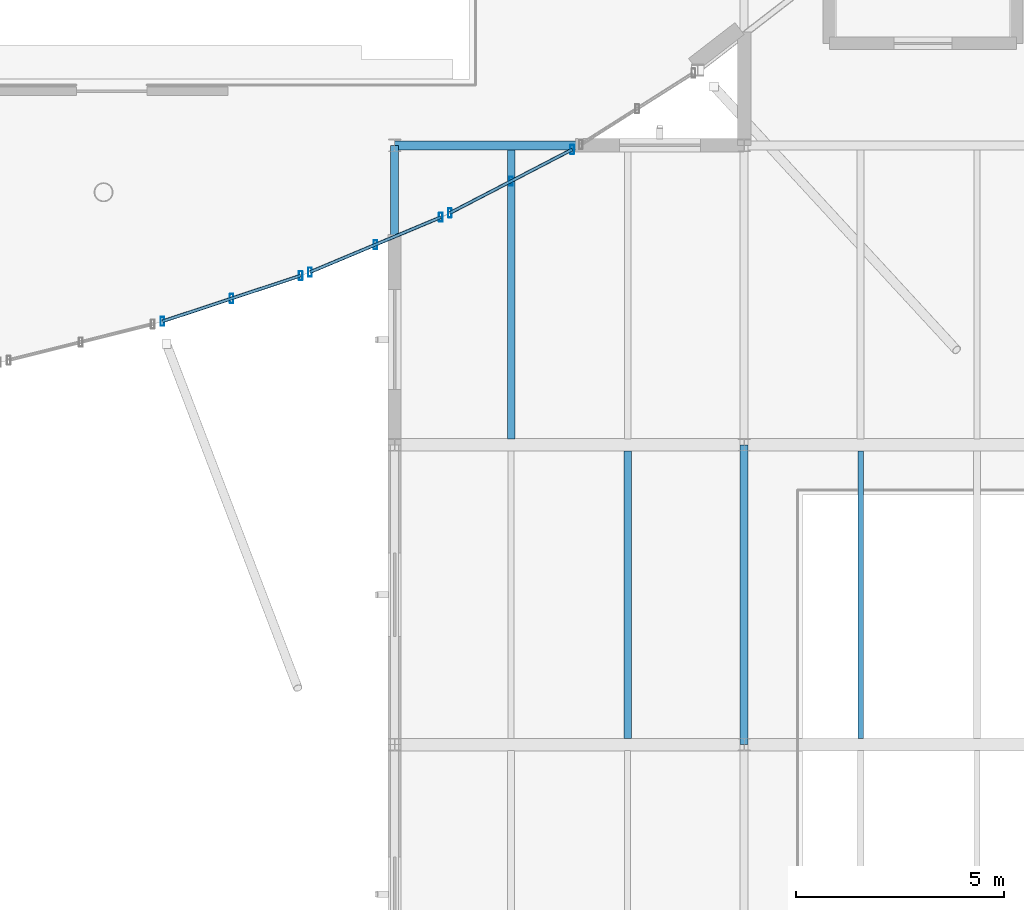
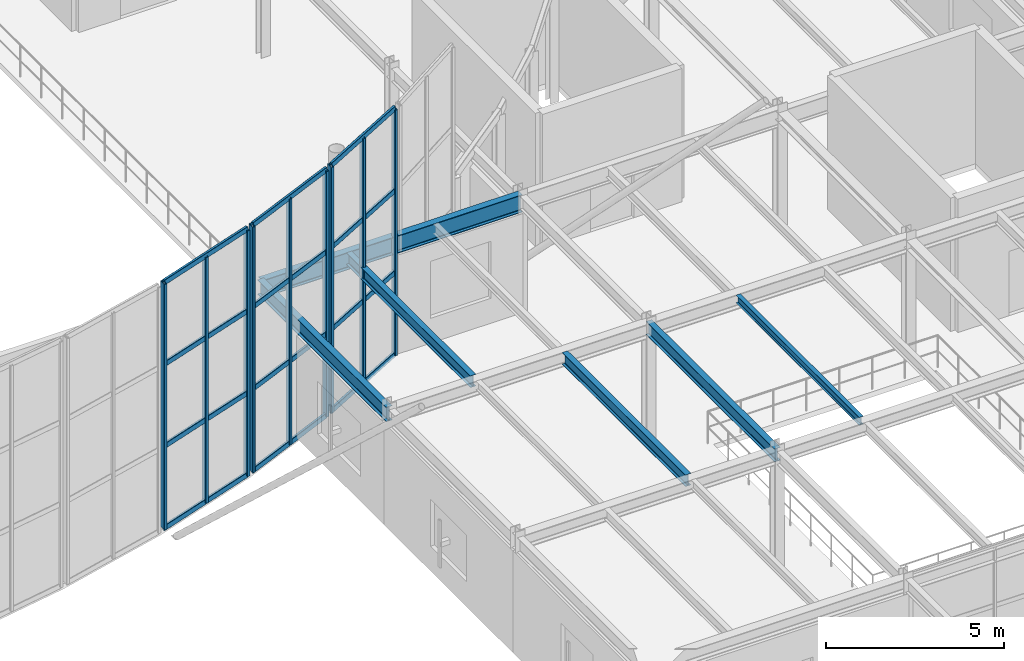
# One storey, part 28 of 109: 21 members, 6 beams, 3 elements without a shape of their own.
"""IFC4 building model written with IfcOpenShell, lengths in metres."""

from ifc_helpers import new_model, si_unit, derived_unit, direction, frame, origin, origin_2d, place, context, subcontext, project, spatial, hollow_rectangle, i_section, extrude, material, material_profile, profile_set, type_object, element, aggregate, save


model = new_model("IFC4")

# Units and contexts
model_context = context("Model", 3, precision=1e-05, world=origin(), true_north=direction((0.0, 1.0)))
body_context = subcontext(model_context, "Body", "Model", "MODEL_VIEW")
ifc_project = project(units=[si_unit("LENGTHUNIT", "METRE"), si_unit("AREAUNIT", "SQUARE_METRE"), si_unit("VOLUMEUNIT", "CUBIC_METRE"), si_unit("PLANEANGLEUNIT", "RADIAN"), si_unit("MASSUNIT", "GRAM", prefix="KILO"), derived_unit("THERMALTRANSMITTANCEUNIT", [(si_unit("MASSUNIT", "GRAM", prefix="KILO"), 1), (si_unit("TIMEUNIT", "SECOND"), -3), (si_unit("THERMODYNAMICTEMPERATUREUNIT", "KELVIN"), -1)])], contexts=[model_context])

# Site, building, storey
site_placement = place(None, origin())
site = spatial("IfcSite", under=ifc_project, at=site_placement, CompositionType="ELEMENT")
building_placement = place(site_placement, origin())
building = spatial("IfcBuilding", under=site, at=building_placement, Name="Kharveza Railside Sports Centre", CompositionType="ELEMENT")
storey_placement = place(building_placement, frame((0.0, 0.0, 4.5)))
storey = spatial("IfcBuildingStorey", under=building, at=storey_placement, Name="L01", CompositionType="ELEMENT", Elevation=4.5)

# Beams
ifc_material_1 = material(Name="Steel S355J2", Category="steel")
ifc_material_profile_1 = material_profile(ifc_material_1, i_section(OverallWidth=0.219970703125, OverallDepth=0.60009765625, WebThickness=0.011962890625, FlangeThickness=0.01904296875, FilletRadius=0.02392578125, at=origin_2d()), Name="IPE 600")
ifc_profile_set_1 = profile_set([ifc_material_profile_1], Name="Steel S355J2")
beam_type_1 = type_object("IfcBeamType", Name="BM-G01", PredefinedType="T_BEAM", material=ifc_profile_set_1)
beam_1_placement = place(storey_placement, frame((75.60009765625, 28.800048828125, 3.699951171875), z_axis=(1.0, 0.0, 0.0), x_axis=(0.0, 1.0, 0.0)))
element("IfcBeam", 1, at=beam_1_placement, inside=storey, type_object=beam_type_1, Name="BM-EW-L01-B01-X756-Y288", PredefinedType="T_BEAM", context=body_context, shape_type="SweptSolid", body=[
    extrude(i_section(OverallWidth=0.219970703125, OverallDepth=0.60009765625, WebThickness=0.011962890625, FlangeThickness=0.01904296875, FilletRadius=0.02392578125, at=origin_2d()), origin(), (0.0, 0.0, 1.0), 8.39990234375),
])
ifc_material_profile_2 = material_profile(ifc_material_1, i_section(OverallWidth=0.199951171875, OverallDepth=0.5, WebThickness=0.01025390625, FlangeThickness=0.01611328125, FilletRadius=0.02099609375, at=origin_2d()), Name="IPE 500")
ifc_profile_set_2 = profile_set([ifc_material_profile_2], Name="Steel S355J2")
beam_type_2 = type_object("IfcBeamType", Name="BM-G03", PredefinedType="T_BEAM", material=ifc_profile_set_2)
beam_2_placement = place(storey_placement, frame((75.60009765625, 21.60009765625, 3.75), z_axis=(0.0, 1.0, 0.0), x_axis=(-1.0, 0.0, 0.0)))
element("IfcBeam", 2, at=beam_2_placement, inside=storey, type_object=beam_type_2, Name="BM-NS-L01-B03-X756-Y216", PredefinedType="T_BEAM", context=body_context, shape_type="SweptSolid", body=[
    extrude(i_section(OverallWidth=0.199951171875, OverallDepth=0.5, WebThickness=0.01025390625, FlangeThickness=0.01611328125, FilletRadius=0.02099609375, at=origin_2d()), origin(), (0.0, 0.0, 1.0), 7.199951171875),
])
ifc_material_profile_3 = material_profile(ifc_material_1, i_section(OverallWidth=0.18994140625, OverallDepth=0.449951171875, WebThickness=0.009521484375, FlangeThickness=0.0146484375, FilletRadius=0.02099609375, at=origin_2d()), Name="IPE 450")
ifc_profile_set_3 = profile_set([ifc_material_profile_3], Name="Steel S355J2")
beam_type_3 = type_object("IfcBeamType", Name="BM-G04", PredefinedType="T_BEAM", material=ifc_profile_set_3)
beam_3_placement = place(storey_placement, frame((84.0, 14.39990234375, 3.77490234375), z_axis=(0.0, 1.0, 0.0), x_axis=(-1.0, 0.0, 0.0)))
element("IfcBeam", 3, at=beam_3_placement, inside=storey, type_object=beam_type_3, Name="BM-NS-L01-B04-X840-Y144", PredefinedType="T_BEAM", context=body_context, shape_type="SweptSolid", body=[
    extrude(i_section(OverallWidth=0.18994140625, OverallDepth=0.449951171875, WebThickness=0.009521484375, FlangeThickness=0.0146484375, FilletRadius=0.02099609375, at=origin_2d()), origin(), (0.0, 0.0, 1.0), 7.2001953125),
])
ifc_material_profile_4 = material_profile(ifc_material_1, i_section(OverallWidth=0.179931640625, OverallDepth=0.39990234375, WebThickness=0.008544921875, FlangeThickness=0.013427734375, FilletRadius=0.02099609375, at=origin_2d()), Name="IPE 400")
ifc_profile_set_4 = profile_set([ifc_material_profile_4], Name="Steel S355J2")
beam_type_4 = type_object("IfcBeamType", Name="BM-S01", PredefinedType="BEAM", material=ifc_profile_set_4)
beam_4_placement = place(storey_placement, frame((81.199951171875, 14.547119140625, 3.800048828125), z_axis=(0.0, 1.0, 0.0), x_axis=(-1.0, 0.0, 0.0)))
element("IfcBeam", 4, at=beam_4_placement, inside=storey, type_object=beam_type_4, Name="BM-SEC-L01-B09-X812-Y144", PredefinedType="BEAM", context=body_context, shape_type="SweptSolid", body=[
    extrude(i_section(OverallWidth=0.179931640625, OverallDepth=0.39990234375, WebThickness=0.008544921875, FlangeThickness=0.013427734375, FilletRadius=0.02099609375, at=origin_2d()), origin(), (0.0, 0.0, 1.0), 6.90576171875),
])
beam_5_placement = place(storey_placement, frame((78.39990234375, 21.7470703125, 3.800048828125), z_axis=(0.0, 1.0, 0.0), x_axis=(-1.0, 0.0, 0.0)))
element("IfcBeam", 5, at=beam_5_placement, inside=storey, type_object=beam_type_4, Name="BM-SEC-L01-B09-X784-Y216", PredefinedType="BEAM", context=body_context, shape_type="SweptSolid", body=[
    extrude(i_section(OverallWidth=0.179931640625, OverallDepth=0.39990234375, WebThickness=0.008544921875, FlangeThickness=0.013427734375, FilletRadius=0.02099609375, at=origin_2d()), origin(), (0.0, 0.0, 1.0), 6.946044921875),
])
ifc_material_profile_5 = material_profile(ifc_material_1, i_section(OverallWidth=0.135009765625, OverallDepth=0.27001953125, WebThickness=0.006591796875, FlangeThickness=0.01025390625, FilletRadius=0.014892578125, at=origin_2d()), Name="IPE 270")
ifc_profile_set_5 = profile_set([ifc_material_profile_5], Name="Steel S355J2")
beam_type_5 = type_object("IfcBeamType", Name="BM-S05", PredefinedType="BEAM", material=ifc_profile_set_5)
beam_6_placement = place(storey_placement, frame((86.800048828125, 14.547119140625, 3.864990234375), z_axis=(0.0, 1.0, 0.0), x_axis=(-1.0, 0.0, 0.0)))
element("IfcBeam", 6, at=beam_6_placement, inside=storey, type_object=beam_type_5, Name="BM-SEC-L01-B13-X868-Y144", PredefinedType="BEAM", context=body_context, shape_type="SweptSolid", body=[
    extrude(i_section(OverallWidth=0.135009765625, OverallDepth=0.27001953125, WebThickness=0.006591796875, FlangeThickness=0.01025390625, FilletRadius=0.014892578125, at=origin_2d()), origin(), (0.0, 0.0, 1.0), 6.90576171875),
])

# Curtain wall, members
ifc_material_2 = material(Name="Low-E solar-control laminated glass", Category="glass")
curtain_wall_type = type_object("IfcCurtainWallType", Name="CW-DR01", PredefinedType="NOTDEFINED", material=ifc_material_2)
curtain_wall_1_placement = place(storey_placement, origin())
curtain_wall_1 = element("IfcCurtainWall", 7, at=curtain_wall_1_placement, inside=storey, type_object=curtain_wall_type, Name="CW-DRUM-53", PredefinedType="NOTDEFINED")
ifc_material_3 = material(Name="Anodised aluminium 6063-T6", Category="aluminium")
ifc_material_profile_6 = material_profile(ifc_material_3, hollow_rectangle(XDim=0.090087890625, YDim=0.219970703125, WallThickness=0.008056640625, InnerFilletRadius=0.008056640625, OuterFilletRadius=0.01611328125, at=origin_2d()), Name="RHS 90x220x8.0")
ifc_profile_set_6 = profile_set([ifc_material_profile_6], Name="Anodised aluminium 6063-T6")
member_type_1 = type_object("IfcMemberType", Name="CW-ML01", PredefinedType="MULLION", material=ifc_profile_set_6)
member_1_placement = place(storey_placement, frame((70.021240234375, 24.569091796875, 0.0), z_axis=(0.0, 0.0, 1.0), x_axis=(1.0, 0.0, 0.0)))
member_1 = element("IfcMember", 8, at=member_1_placement, type_object=member_type_1, Name="CW-DRUM-53-ML1", PredefinedType="MULLION", context=body_context, shape_type="SweptSolid", body=[
    extrude(hollow_rectangle(XDim=0.090087890625, YDim=0.219970703125, WallThickness=0.008056640625, InnerFilletRadius=0.008056640625, OuterFilletRadius=0.01611328125, at=origin_2d()), origin(), (0.0, 0.0, 1.0), 8.39990234375),
])
member_2_placement = place(storey_placement, frame((71.681640625, 25.118896484375, 0.0), z_axis=(0.0, 0.0, 1.0), x_axis=(1.0, 0.0, 0.0)))
member_2 = element("IfcMember", 9, at=member_2_placement, type_object=member_type_1, Name="CW-DRUM-53-ML2", PredefinedType="MULLION", context=body_context, shape_type="SweptSolid", body=[
    extrude(hollow_rectangle(XDim=0.090087890625, YDim=0.219970703125, WallThickness=0.008056640625, InnerFilletRadius=0.008056640625, OuterFilletRadius=0.01611328125, at=origin_2d()), origin(), (0.0, 0.0, 1.0), 8.39990234375),
])
member_3_placement = place(storey_placement, frame((73.342041015625, 25.66845703125, 0.0), z_axis=(0.0, 0.0, 1.0), x_axis=(1.0, 0.0, 0.0)))
member_3 = element("IfcMember", 10, at=member_3_placement, type_object=member_type_1, Name="CW-DRUM-53-ML3", PredefinedType="MULLION", context=body_context, shape_type="SweptSolid", body=[
    extrude(hollow_rectangle(XDim=0.090087890625, YDim=0.219970703125, WallThickness=0.008056640625, InnerFilletRadius=0.008056640625, OuterFilletRadius=0.01611328125, at=origin_2d()), origin(), (0.0, 0.0, 1.0), 8.39990234375),
])

curtain_wall_2_placement = place(storey_placement, origin())
curtain_wall_2 = element("IfcCurtainWall", 11, at=curtain_wall_2_placement, inside=storey, type_object=curtain_wall_type, Name="CW-DRUM-54", PredefinedType="NOTDEFINED")
member_4_placement = place(storey_placement, frame((73.56640625, 25.752685546875, 0.0), z_axis=(0.0, 0.0, 1.0), x_axis=(1.0, 0.0, 0.0)))
member_4 = element("IfcMember", 12, at=member_4_placement, type_object=member_type_1, Name="CW-DRUM-54-ML1", PredefinedType="MULLION", context=body_context, shape_type="SweptSolid", body=[
    extrude(hollow_rectangle(XDim=0.090087890625, YDim=0.219970703125, WallThickness=0.008056640625, InnerFilletRadius=0.008056640625, OuterFilletRadius=0.01611328125, at=origin_2d()), origin(), (0.0, 0.0, 1.0), 8.39990234375),
])
member_5_placement = place(storey_placement, frame((75.139404296875, 26.41259765625, 0.0), z_axis=(0.0, 0.0, 1.0), x_axis=(1.0, 0.0, 0.0)))
member_5 = element("IfcMember", 13, at=member_5_placement, type_object=member_type_1, Name="CW-DRUM-54-ML2", PredefinedType="MULLION", context=body_context, shape_type="SweptSolid", body=[
    extrude(hollow_rectangle(XDim=0.090087890625, YDim=0.219970703125, WallThickness=0.008056640625, InnerFilletRadius=0.008056640625, OuterFilletRadius=0.01611328125, at=origin_2d()), origin(), (0.0, 0.0, 1.0), 8.39990234375),
])
member_6_placement = place(storey_placement, frame((76.712158203125, 27.072509765625, 0.0), z_axis=(0.0, 0.0, 1.0), x_axis=(1.0, 0.0, 0.0)))
member_6 = element("IfcMember", 14, at=member_6_placement, type_object=member_type_1, Name="CW-DRUM-54-ML3", PredefinedType="MULLION", context=body_context, shape_type="SweptSolid", body=[
    extrude(hollow_rectangle(XDim=0.090087890625, YDim=0.219970703125, WallThickness=0.008056640625, InnerFilletRadius=0.008056640625, OuterFilletRadius=0.01611328125, at=origin_2d()), origin(), (0.0, 0.0, 1.0), 8.39990234375),
])

curtain_wall_3_placement = place(storey_placement, origin())
curtain_wall_3 = element("IfcCurtainWall", 15, at=curtain_wall_3_placement, inside=storey, type_object=curtain_wall_type, Name="CW-DRUM-55", PredefinedType="NOTDEFINED")
member_7_placement = place(storey_placement, frame((76.92919921875, 27.174072265625, 0.0), z_axis=(0.0, 0.0, 1.0), x_axis=(1.0, 0.0, 0.0)))
member_7 = element("IfcMember", 16, at=member_7_placement, type_object=member_type_1, Name="CW-DRUM-55-ML1", PredefinedType="MULLION", context=body_context, shape_type="SweptSolid", body=[
    extrude(hollow_rectangle(XDim=0.090087890625, YDim=0.219970703125, WallThickness=0.008056640625, InnerFilletRadius=0.008056640625, OuterFilletRadius=0.01611328125, at=origin_2d()), origin(), (0.0, 0.0, 1.0), 8.39990234375),
])
member_8_placement = place(storey_placement, frame((78.3994140625, 27.937255859375, 0.0), z_axis=(0.0, 0.0, 1.0), x_axis=(1.0, 0.0, 0.0)))
member_8 = element("IfcMember", 17, at=member_8_placement, type_object=member_type_1, Name="CW-DRUM-55-ML2", PredefinedType="MULLION", context=body_context, shape_type="SweptSolid", body=[
    extrude(hollow_rectangle(XDim=0.090087890625, YDim=0.219970703125, WallThickness=0.008056640625, InnerFilletRadius=0.008056640625, OuterFilletRadius=0.01611328125, at=origin_2d()), origin(), (0.0, 0.0, 1.0), 8.39990234375),
])
member_9_placement = place(storey_placement, frame((79.869140625, 28.700439453125, 0.0), z_axis=(0.0, 0.0, 1.0), x_axis=(1.0, 0.0, 0.0)))
member_9 = element("IfcMember", 18, at=member_9_placement, type_object=member_type_1, Name="CW-DRUM-55-ML3", PredefinedType="MULLION", context=body_context, shape_type="SweptSolid", body=[
    extrude(hollow_rectangle(XDim=0.090087890625, YDim=0.219970703125, WallThickness=0.008056640625, InnerFilletRadius=0.008056640625, OuterFilletRadius=0.01611328125, at=origin_2d()), origin(), (0.0, 0.0, 1.0), 8.39990234375),
])

# Member
ifc_material_profile_7 = material_profile(ifc_material_3, hollow_rectangle(XDim=0.080078125, YDim=0.179931640625, WallThickness=0.00634765625, InnerFilletRadius=0.00634765625, OuterFilletRadius=0.0126953125, at=origin_2d()), Name="RHS 80x180x6.3")
ifc_profile_set_7 = profile_set([ifc_material_profile_7], Name="Anodised aluminium 6063-T6")
member_type_2 = type_object("IfcMemberType", Name="CW-TR01", PredefinedType="USERDEFINED", material=ifc_profile_set_7)
member_10_placement = place(storey_placement, frame((70.021240234375, 24.569091796875, 0.0), z_axis=(0.949330378628, 0.314279862885, 0.0), x_axis=(-0.314279862885, 0.949330378628, 0.0)))
member_10 = element("IfcMember", 19, at=member_10_placement, type_object=member_type_2, Name="CW-DRUM-53-TR1", ObjectType="TRANSOM", PredefinedType="USERDEFINED", context=body_context, shape_type="SweptSolid", body=[
    extrude(hollow_rectangle(XDim=0.080078125, YDim=0.179931640625, WallThickness=0.00634765625, InnerFilletRadius=0.00634765625, OuterFilletRadius=0.0126953125, at=origin_2d()), origin(), (0.0, 0.0, 1.0), 3.498046875),
])

member_11_placement = place(storey_placement, frame((70.021240234375, 24.569091796875, 2.800048828125), z_axis=(0.949330378628, 0.314279862885, 0.0), x_axis=(-0.314279862885, 0.949330378628, 0.0)))
member_11 = element("IfcMember", 20, at=member_11_placement, type_object=member_type_2, Name="CW-DRUM-53-TR2", ObjectType="TRANSOM", PredefinedType="USERDEFINED", context=body_context, shape_type="SweptSolid", body=[
    extrude(hollow_rectangle(XDim=0.080078125, YDim=0.179931640625, WallThickness=0.00634765625, InnerFilletRadius=0.00634765625, OuterFilletRadius=0.0126953125, at=origin_2d()), origin(), (0.0, 0.0, 1.0), 3.498046875),
])

member_12_placement = place(storey_placement, frame((70.021240234375, 24.569091796875, 5.60009765625), z_axis=(0.949330378628, 0.314279862885, 0.0), x_axis=(-0.314279862885, 0.949330378628, 0.0)))
member_12 = element("IfcMember", 21, at=member_12_placement, type_object=member_type_2, Name="CW-DRUM-53-TR3", ObjectType="TRANSOM", PredefinedType="USERDEFINED", context=body_context, shape_type="SweptSolid", body=[
    extrude(hollow_rectangle(XDim=0.080078125, YDim=0.179931640625, WallThickness=0.00634765625, InnerFilletRadius=0.00634765625, OuterFilletRadius=0.0126953125, at=origin_2d()), origin(), (0.0, 0.0, 1.0), 3.498046875),
])

member_13_placement = place(storey_placement, frame((70.021240234375, 24.569091796875, 8.39990234375), z_axis=(0.949330378628, 0.314279862885, 0.0), x_axis=(-0.314279862885, 0.949330378628, 0.0)))
member_13 = element("IfcMember", 22, at=member_13_placement, type_object=member_type_2, Name="CW-DRUM-53-TR4", ObjectType="TRANSOM", PredefinedType="USERDEFINED", context=body_context, shape_type="SweptSolid", body=[
    extrude(hollow_rectangle(XDim=0.080078125, YDim=0.179931640625, WallThickness=0.00634765625, InnerFilletRadius=0.00634765625, OuterFilletRadius=0.0126953125, at=origin_2d()), origin(), (0.0, 0.0, 1.0), 3.498046875),
])

aggregate(curtain_wall_1, [member_1, member_2, member_3, member_10, member_11, member_12, member_13])

member_14_placement = place(storey_placement, frame((73.56640625, 25.752685546875, 0.0), z_axis=(0.922127678755, 0.386885698979, 0.0), x_axis=(-0.386885698979, 0.922127678755, 0.0)))
member_14 = element("IfcMember", 23, at=member_14_placement, type_object=member_type_2, Name="CW-DRUM-54-TR1", ObjectType="TRANSOM", PredefinedType="USERDEFINED", context=body_context, shape_type="SweptSolid", body=[
    extrude(hollow_rectangle(XDim=0.080078125, YDim=0.179931640625, WallThickness=0.00634765625, InnerFilletRadius=0.00634765625, OuterFilletRadius=0.0126953125, at=origin_2d()), origin(), (0.0, 0.0, 1.0), 3.411376953125),
])

member_15_placement = place(storey_placement, frame((73.56640625, 25.752685546875, 2.800048828125), z_axis=(0.922127678755, 0.386885698979, 0.0), x_axis=(-0.386885698979, 0.922127678755, 0.0)))
member_15 = element("IfcMember", 24, at=member_15_placement, type_object=member_type_2, Name="CW-DRUM-54-TR2", ObjectType="TRANSOM", PredefinedType="USERDEFINED", context=body_context, shape_type="SweptSolid", body=[
    extrude(hollow_rectangle(XDim=0.080078125, YDim=0.179931640625, WallThickness=0.00634765625, InnerFilletRadius=0.00634765625, OuterFilletRadius=0.0126953125, at=origin_2d()), origin(), (0.0, 0.0, 1.0), 3.411376953125),
])

member_16_placement = place(storey_placement, frame((73.56640625, 25.752685546875, 5.60009765625), z_axis=(0.922127678755, 0.386885698979, 0.0), x_axis=(-0.386885698979, 0.922127678755, 0.0)))
member_16 = element("IfcMember", 25, at=member_16_placement, type_object=member_type_2, Name="CW-DRUM-54-TR3", ObjectType="TRANSOM", PredefinedType="USERDEFINED", context=body_context, shape_type="SweptSolid", body=[
    extrude(hollow_rectangle(XDim=0.080078125, YDim=0.179931640625, WallThickness=0.00634765625, InnerFilletRadius=0.00634765625, OuterFilletRadius=0.0126953125, at=origin_2d()), origin(), (0.0, 0.0, 1.0), 3.411376953125),
])

member_17_placement = place(storey_placement, frame((73.56640625, 25.752685546875, 8.39990234375), z_axis=(0.922127678755, 0.386885698979, 0.0), x_axis=(-0.386885698979, 0.922127678755, 0.0)))
member_17 = element("IfcMember", 26, at=member_17_placement, type_object=member_type_2, Name="CW-DRUM-54-TR4", ObjectType="TRANSOM", PredefinedType="USERDEFINED", context=body_context, shape_type="SweptSolid", body=[
    extrude(hollow_rectangle(XDim=0.080078125, YDim=0.179931640625, WallThickness=0.00634765625, InnerFilletRadius=0.00634765625, OuterFilletRadius=0.0126953125, at=origin_2d()), origin(), (0.0, 0.0, 1.0), 3.411376953125),
])

aggregate(curtain_wall_2, [member_4, member_5, member_6, member_14, member_15, member_16, member_17])

member_18_placement = place(storey_placement, frame((76.92919921875, 27.174072265625, 0.0), z_axis=(0.887513465688, 0.460781779395, 0.0), x_axis=(-0.460781779395, 0.887513465688, 0.0)))
member_18 = element("IfcMember", 27, at=member_18_placement, type_object=member_type_2, Name="CW-DRUM-55-TR1", ObjectType="TRANSOM", PredefinedType="USERDEFINED", context=body_context, shape_type="SweptSolid", body=[
    extrude(hollow_rectangle(XDim=0.080078125, YDim=0.179931640625, WallThickness=0.00634765625, InnerFilletRadius=0.00634765625, OuterFilletRadius=0.0126953125, at=origin_2d()), origin(), (0.0, 0.0, 1.0), 3.3125),
])

member_19_placement = place(storey_placement, frame((76.92919921875, 27.174072265625, 2.800048828125), z_axis=(0.887513465688, 0.460781779395, 0.0), x_axis=(-0.460781779395, 0.887513465688, 0.0)))
member_19 = element("IfcMember", 28, at=member_19_placement, type_object=member_type_2, Name="CW-DRUM-55-TR2", ObjectType="TRANSOM", PredefinedType="USERDEFINED", context=body_context, shape_type="SweptSolid", body=[
    extrude(hollow_rectangle(XDim=0.080078125, YDim=0.179931640625, WallThickness=0.00634765625, InnerFilletRadius=0.00634765625, OuterFilletRadius=0.0126953125, at=origin_2d()), origin(), (0.0, 0.0, 1.0), 3.3125),
])

member_20_placement = place(storey_placement, frame((76.92919921875, 27.174072265625, 5.60009765625), z_axis=(0.887513465688, 0.460781779395, 0.0), x_axis=(-0.460781779395, 0.887513465688, 0.0)))
member_20 = element("IfcMember", 29, at=member_20_placement, type_object=member_type_2, Name="CW-DRUM-55-TR3", ObjectType="TRANSOM", PredefinedType="USERDEFINED", context=body_context, shape_type="SweptSolid", body=[
    extrude(hollow_rectangle(XDim=0.080078125, YDim=0.179931640625, WallThickness=0.00634765625, InnerFilletRadius=0.00634765625, OuterFilletRadius=0.0126953125, at=origin_2d()), origin(), (0.0, 0.0, 1.0), 3.3125),
])

member_21_placement = place(storey_placement, frame((76.92919921875, 27.174072265625, 8.39990234375), z_axis=(0.887513465688, 0.460781779395, 0.0), x_axis=(-0.460781779395, 0.887513465688, 0.0)))
member_21 = element("IfcMember", 30, at=member_21_placement, type_object=member_type_2, Name="CW-DRUM-55-TR4", ObjectType="TRANSOM", PredefinedType="USERDEFINED", context=body_context, shape_type="SweptSolid", body=[
    extrude(hollow_rectangle(XDim=0.080078125, YDim=0.179931640625, WallThickness=0.00634765625, InnerFilletRadius=0.00634765625, OuterFilletRadius=0.0126953125, at=origin_2d()), origin(), (0.0, 0.0, 1.0), 3.3125),
])

aggregate(curtain_wall_3, [member_7, member_8, member_9, member_18, member_19, member_20, member_21])

save(model, "model.ifc")
